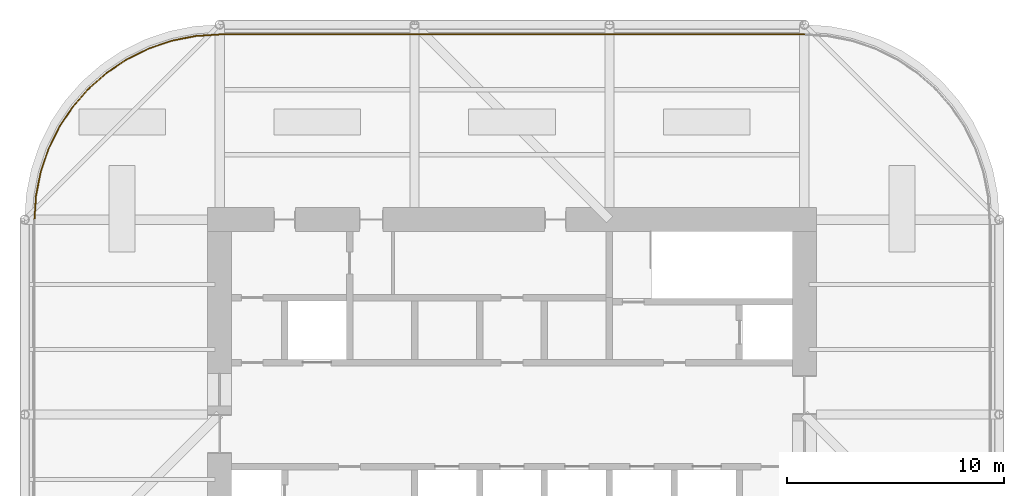
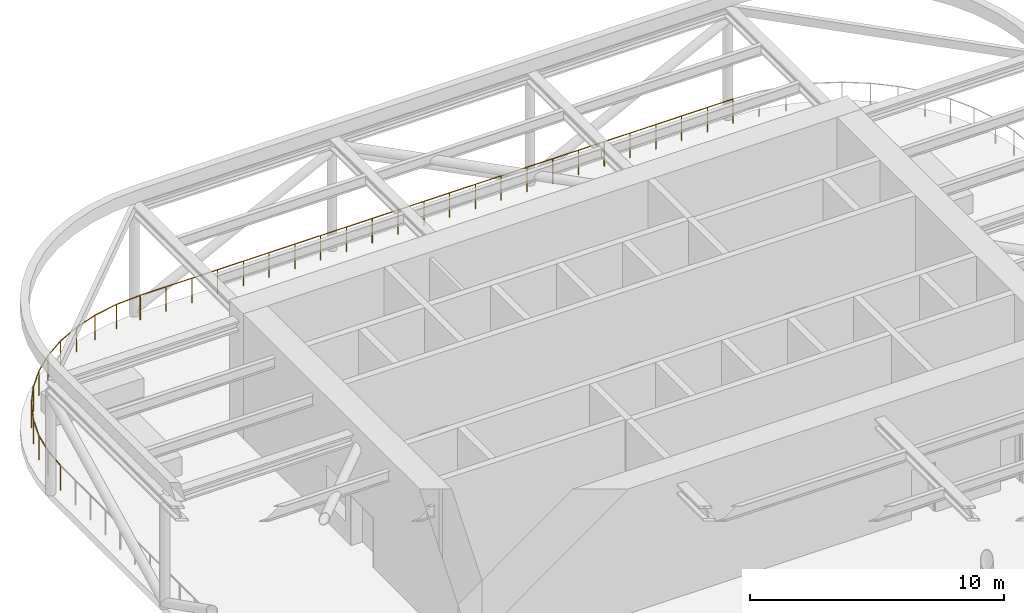
# One storey, part 8 of 8: 1 railing.
"""IFC4 building model written with IfcOpenShell, lengths in metres."""

import ifcopenshell
import ifcopenshell.guid

model = None  # the IFC model being written
_history = None  # IfcOwnerHistory: only IFC2X3 demands one
_inside = {}  # id of a spatial element -> (the spatial element, [elements in it])
_under = {}  # id of a project, library or spatial element -> (it, [spatial elements below it])
_declared = {}  # id of a project -> (the project, [libraries it declares])
_typed = {}  # id of a type object -> (the type object, [elements of that type])
_made_of = {}  # id of a material, layer set ... -> (it, [elements and type objects made of it])


def new_model(schema):
    """Start an empty IFC model of exactly this schema.

    Asked for "IFC4X3", IfcOpenShell would pick the latest addendum, in which some entities
    have other attributes; the version numbers below select the first issue.
    IFC2X3 requires an IfcOwnerHistory on every rooted entity: one is made here for all.
    """
    global model, _history
    if schema == "IFC4X3":
        model = ifcopenshell.file(schema_version=(4, 3, 0, 0))
    else:
        model = ifcopenshell.file(schema=schema)
    _inside.clear()
    _under.clear()
    _declared.clear()
    _typed.clear()
    _made_of.clear()
    _history = None
    if model.schema == "IFC2X3":
        org = make("IfcOrganization", Name="unknown")
        user = make(
            "IfcPersonAndOrganization",
            ThePerson=make("IfcPerson", FamilyName="unknown"),
            TheOrganization=org,
        )
        app = make(
            "IfcApplication",
            ApplicationDeveloper=org,
            Version="unknown",
            ApplicationFullName="unknown",
            ApplicationIdentifier="unknown",
        )
        _history = make(
            "IfcOwnerHistory",
            OwningUser=user,
            OwningApplication=app,
            ChangeAction="ADDED",
            CreationDate=0,
        )
    return model


def make(cls, **values):
    """One entity of the class cls with the attributes given. An attribute that is None is left unset."""
    return model.create_entity(
        cls, **{name: value for name, value in values.items() if value is not None}
    )


def rooted(cls, **values):
    """An entity with a GlobalId (a new one), such as an element, a storey or a relation."""
    return make(cls, GlobalId=ifcopenshell.guid.new(), OwnerHistory=_history, **values)


def si_unit(unit_type, name, prefix=None):
    """IfcSIUnit, for example si_unit("LENGTHUNIT", "METRE", prefix="MILLI")."""
    return make("IfcSIUnit", UnitType=unit_type, Prefix=prefix, Name=name)


def assignment(units):
    """IfcUnitAssignment: the units of a project."""
    return None if units is None else make("IfcUnitAssignment", Units=units)


def point(xyz):
    """IfcCartesianPoint."""
    return None if xyz is None else make("IfcCartesianPoint", Coordinates=xyz)


def direction(xyz):
    """IfcDirection."""
    return None if xyz is None else make("IfcDirection", DirectionRatios=xyz)


def frame(location, z_axis=None, x_axis=None):
    """IfcAxis2Placement3D, a coordinate frame: its origin and axes. An axis left out is left unset."""
    return make(
        "IfcAxis2Placement3D",
        Location=point(location),
        Axis=direction(z_axis),
        RefDirection=direction(x_axis),
    )


def frame_2d(location, x_axis=None):
    """IfcAxis2Placement2D, a coordinate frame in the plane: its origin and x axis."""
    return make(
        "IfcAxis2Placement2D", Location=point(location), RefDirection=direction(x_axis)
    )


def origin():
    """The frame at (0, 0, 0) with its axes left unset."""
    return frame((0.0, 0.0, 0.0))


def origin_2d():
    """The frame at (0, 0) in the plane with its x axis left unset."""
    return frame_2d((0.0, 0.0))


def place(relative_to, where):
    """IfcLocalPlacement: puts the frame where relative to a parent placement (None: the world)."""
    return make(
        "IfcLocalPlacement", PlacementRelTo=relative_to, RelativePlacement=where
    )


def context(
    kind, dimensions, precision=None, world=None, true_north=None, identifier=None
):
    """IfcGeometricRepresentationContext, for example the 3D "Model" context."""
    return make(
        "IfcGeometricRepresentationContext",
        ContextIdentifier=identifier,
        ContextType=kind,
        CoordinateSpaceDimension=dimensions,
        Precision=precision,
        WorldCoordinateSystem=world,
        TrueNorth=true_north,
    )


def subcontext(parent, identifier, kind, view, scale=None):
    """IfcGeometricRepresentationSubContext, for example "Body" below "Model"."""
    return make(
        "IfcGeometricRepresentationSubContext",
        ContextIdentifier=identifier,
        ContextType=kind,
        ParentContext=parent,
        TargetScale=scale,
        TargetView=view,
    )


def project(units=None, contexts=None):
    """IfcProject with its units and contexts."""
    return rooted(
        "IfcProject",
        Name="project",
        RepresentationContexts=contexts,
        UnitsInContext=assignment(units),
    )


def spatial(cls, under=None, at=None, **own):
    """A site, building, storey or space (cls), placed at a placement, below another one or the project."""
    s = rooted(cls, ObjectPlacement=at, **own)
    if under is not None:
        _under.setdefault(under.id(), (under, []))[1].append(s)
    return s


def profile(cls, at=None, kind="AREA", **sizes):
    """A parametric profile (cls). Its sizes go by their IFC names, for example OverallWidth=200.0."""
    return make(cls, ProfileType=kind, Position=at, **sizes)


def circle(**sizes):
    """IfcCircleProfileDef."""
    return profile("IfcCircleProfileDef", **sizes)


def extrude(swept, where, along, depth):
    """IfcExtrudedAreaSolid: the profile swept, set in the frame where, extruded along a direction by depth."""
    return make(
        "IfcExtrudedAreaSolid",
        SweptArea=swept,
        Position=where,
        ExtrudedDirection=direction(along),
        Depth=depth,
    )


def shape(context_of_items, identifier, shape_type, items):
    """IfcShapeRepresentation: the items that make up one representation, for example the "Body"."""
    return make(
        "IfcShapeRepresentation",
        ContextOfItems=context_of_items,
        RepresentationIdentifier=identifier,
        RepresentationType=shape_type,
        Items=items,
    )


def material(Name=None, Category=None):
    """IfcMaterial."""
    return make("IfcMaterial", Name=Name, Category=Category)


def made_of(thing, what):
    """Note that an element or type object is made of a material, layer set ...; save() writes the relation."""
    if what is not None:
        _made_of.setdefault(what.id(), (what, []))[1].append(thing)
    return thing


def type_object(cls, material=None, **own):
    """A type object (cls), such as IfcWallType, which elements share."""
    return made_of(rooted(cls, **own), material)


def element(
    cls,
    number,
    at=None,
    inside=None,
    cuts=None,
    type_object=None,
    material=None,
    context=None,
    identifier="Body",
    shape_type=None,
    held_by="IfcProductDefinitionShape",
    body=None,
    shapes=None,
    **own,
):
    """One element of the class cls, such as IfcWall. Its Tag is "e" and its number.

    at: its placement. inside: the storey or other place that contains it. cuts: it is an
    opening in that element (IfcRelVoidsElement). A single representation is given by context,
    identifier, shape_type and body (its items); several are given by shapes. held_by: the class
    of the entity that holds the representations. save() writes the other relations.
    """
    e = rooted(cls, Tag="e%d" % number, ObjectPlacement=at, **own)
    if body is not None:
        shapes = [shape(context, identifier, shape_type, body)]
    if shapes is not None:
        e.Representation = make(held_by, Representations=shapes)
    if inside is not None:
        _inside.setdefault(inside.id(), (inside, []))[1].append(e)
    if cuts is not None:
        rooted(
            "IfcRelVoidsElement", RelatingBuildingElement=cuts, RelatedOpeningElement=e
        )
    if type_object is not None:
        _typed.setdefault(type_object.id(), (type_object, []))[1].append(e)
    return made_of(e, material)


def aggregate(whole, parts):
    """IfcRelAggregates: a whole, such as a stair, and the parts it consists of."""
    return rooted("IfcRelAggregates", RelatingObject=whole, RelatedObjects=parts)


def save(model, path):
    """Write the relations noted so far, then the file.

    IfcRelAggregates (storeys below a building ...), IfcRelContainedInSpatialStructure (elements
    in a storey), IfcRelDefinesByType, IfcRelAssociatesMaterial and IfcRelDeclares: one each for
    every whole, place, type object, material and project.
    """
    for whole, parts in _under.values():
        aggregate(whole, parts)
    for where, things in _inside.values():
        rooted(
            "IfcRelContainedInSpatialStructure",
            RelatedElements=things,
            RelatingStructure=where,
        )
    for kind, things in _typed.values():
        rooted("IfcRelDefinesByType", RelatedObjects=things, RelatingType=kind)
    for what, things in _made_of.values():
        rooted("IfcRelAssociatesMaterial", RelatedObjects=things, RelatingMaterial=what)
    for by, libraries in _declared.values():
        rooted("IfcRelDeclares", RelatingContext=by, RelatedDefinitions=libraries)
    model.write(path)


model = new_model("IFC4")

# Units and contexts
model_context = context("Model", 3, precision=1e-05, world=origin(), true_north=direction((0.0, 1.0)))
body_context = subcontext(model_context, "Body", "Model", "MODEL_VIEW")
ifc_project = project(units=[si_unit("LENGTHUNIT", "METRE"), si_unit("AREAUNIT", "SQUARE_METRE"), si_unit("VOLUMEUNIT", "CUBIC_METRE"), si_unit("PLANEANGLEUNIT", "RADIAN"), si_unit("MASSUNIT", "GRAM", prefix="KILO")], contexts=[model_context])

# Site, building, storey
site_placement = place(None, origin())
site = spatial("IfcSite", under=ifc_project, at=site_placement, CompositionType="ELEMENT")
building_placement = place(site_placement, origin())
building = spatial("IfcBuilding", under=site, at=building_placement, Name="Zorevar Civic Tower", CompositionType="ELEMENT")
storey_placement = place(building_placement, frame((0.0, 0.0, 311.800048828125)))
storey = spatial("IfcBuildingStorey", under=building, at=storey_placement, Name="RF", CompositionType="ELEMENT", Elevation=311.800048828125)

# Railing
ifc_material = material(Name="Black steel posts and laminated glass", Category="steel")
railing_type = type_object("IfcRailingType", Name="Guard GR1 1200", PredefinedType="GUARDRAIL", material=ifc_material)
railing_placement = place(storey_placement, frame((9.449951171875, 35.9853515625, 0.0)))
element("IfcRailing", 1, at=railing_placement, inside=storey, type_object=railing_type, Name="Guard GR1 RF", PredefinedType="GUARDRAIL", context=body_context, shape_type="SweptSolid", body=[
    extrude(circle(Radius=0.02392578125, at=origin_2d()), frame((0.0, 0.0, 1.17578125), z_axis=(0.065503586587, 0.997852333837, 0.0), x_axis=(-0.997852333837, 0.065503586587, 0.0)), (0.0, 0.0, 1.0), 1.133056640625),
    extrude(circle(Radius=0.02392578125, at=origin_2d()), frame((0.07421875, 1.130615234375, 1.17578125), z_axis=(0.194982288456, 0.980806763429, 0.0), x_axis=(-0.980806763429, 0.194982288456, 0.0)), (0.0, 0.0, 1.0), 1.1181640625),
    extrude(circle(Radius=0.02392578125, at=origin_2d()), frame((0.292236328125, 2.227294921875, 1.17578125), z_axis=(0.321593506374, 0.946877825624, 0.0), x_axis=(-0.946877825624, 0.321593506374, 0.0)), (0.0, 0.0, 1.0), 1.1181640625),
    extrude(circle(Radius=0.02392578125, at=origin_2d()), frame((0.65185546875, 3.2861328125, 1.17578125), z_axis=(0.442316540366, 0.896859006823, 0.0), x_axis=(-0.896859006823, 0.442316540366, 0.0)), (0.0, 0.0, 1.0), 1.1181640625),
    extrude(circle(Radius=0.02392578125, at=origin_2d()), frame((1.146484375, 4.2890625, 1.17578125), z_axis=(0.555405337512, 0.831579768311, 0.0), x_axis=(-0.831579768311, 0.555405337512, 0.0)), (0.0, 0.0, 1.0), 1.1181640625),
    extrude(circle(Radius=0.02392578125, at=origin_2d()), frame((1.767578125, 5.218994140625, 1.17578125), z_axis=(0.659307936578, 0.751873024363, 0.0), x_axis=(-0.751873024363, 0.659307936578, 0.0)), (0.0, 0.0, 1.0), 1.118408203125),
    extrude(circle(Radius=0.02392578125, at=origin_2d()), frame((2.5048828125, 6.059814453125, 1.17578125), z_axis=(0.751873024363, 0.659307936578, 0.0), x_axis=(-0.659307936578, 0.751873024363, 0.0)), (0.0, 0.0, 1.0), 1.118408203125),
    extrude(circle(Radius=0.02392578125, at=origin_2d()), frame((3.345703125, 6.797119140625, 1.17578125), z_axis=(0.831579768311, 0.555405337512, 0.0), x_axis=(-0.555405337512, 0.831579768311, 0.0)), (0.0, 0.0, 1.0), 1.1181640625),
    extrude(circle(Radius=0.02392578125, at=origin_2d()), frame((4.275634765625, 7.418212890625, 1.17578125), z_axis=(0.896859006823, 0.442316540366, 0.0), x_axis=(-0.442316540366, 0.896859006823, 0.0)), (0.0, 0.0, 1.0), 1.1181640625),
    extrude(circle(Radius=0.02392578125, at=origin_2d()), frame((5.278564453125, 7.912841796875, 1.17578125), z_axis=(0.946877825624, 0.321593506374, 0.0), x_axis=(-0.321593506374, 0.946877825624, 0.0)), (0.0, 0.0, 1.0), 1.1181640625),
    extrude(circle(Radius=0.02392578125, at=origin_2d()), frame((6.33740234375, 8.2724609375, 1.17578125), z_axis=(0.980806763429, 0.194982288456, 0.0), x_axis=(-0.194982288456, 0.980806763429, 0.0)), (0.0, 0.0, 1.0), 1.1181640625),
    extrude(circle(Radius=0.02392578125, at=origin_2d()), frame((7.43408203125, 8.490478515625, 1.17578125), z_axis=(0.997852333837, 0.065503586587, 0.0), x_axis=(-0.065503586587, 0.997852333837, 0.0)), (0.0, 0.0, 1.0), 1.133056640625),
    extrude(circle(Radius=0.02392578125, at=origin_2d()), frame((8.564697265625, 8.564697265625, 1.17578125), z_axis=(1.0, 0.0, 0.0), x_axis=(0.0, 1.0, 0.0)), (0.0, 0.0, 1.0), 26.970703125),
    extrude(circle(Radius=0.02099609375, at=origin_2d()), origin(), (0.0, 0.0, 1.0), 1.15185546875),
    extrude(circle(Radius=0.02099609375, at=origin_2d()), frame((0.07421875, 1.130615234375, 0.0)), (0.0, 0.0, 1.0), 1.15185546875),
    extrude(circle(Radius=0.02099609375, at=origin_2d()), frame((0.292236328125, 2.227294921875, 0.0)), (0.0, 0.0, 1.0), 1.15185546875),
    extrude(circle(Radius=0.02099609375, at=origin_2d()), frame((0.65185546875, 3.2861328125, 0.0)), (0.0, 0.0, 1.0), 1.15185546875),
    extrude(circle(Radius=0.02099609375, at=origin_2d()), frame((1.146484375, 4.2890625, 0.0)), (0.0, 0.0, 1.0), 1.15185546875),
    extrude(circle(Radius=0.02099609375, at=origin_2d()), frame((1.767578125, 5.218994140625, 0.0)), (0.0, 0.0, 1.0), 1.15185546875),
    extrude(circle(Radius=0.02099609375, at=origin_2d()), frame((2.5048828125, 6.059814453125, 0.0)), (0.0, 0.0, 1.0), 1.15185546875),
    extrude(circle(Radius=0.02099609375, at=origin_2d()), frame((3.345703125, 6.797119140625, 0.0)), (0.0, 0.0, 1.0), 1.15185546875),
    extrude(circle(Radius=0.02099609375, at=origin_2d()), frame((4.275634765625, 7.418212890625, 0.0)), (0.0, 0.0, 1.0), 1.15185546875),
    extrude(circle(Radius=0.02099609375, at=origin_2d()), frame((5.278564453125, 7.912841796875, 0.0)), (0.0, 0.0, 1.0), 1.15185546875),
    extrude(circle(Radius=0.02099609375, at=origin_2d()), frame((6.33740234375, 8.2724609375, 0.0)), (0.0, 0.0, 1.0), 1.15185546875),
    extrude(circle(Radius=0.02099609375, at=origin_2d()), frame((7.43408203125, 8.490478515625, 0.0)), (0.0, 0.0, 1.0), 1.15185546875),
    extrude(circle(Radius=0.02099609375, at=origin_2d()), frame((8.564697265625, 8.564697265625, 0.0)), (0.0, 0.0, 1.0), 1.15185546875),
    extrude(circle(Radius=0.02099609375, at=origin_2d()), frame((9.7373046875, 8.564697265625, 0.0)), (0.0, 0.0, 1.0), 1.15185546875),
    extrude(circle(Radius=0.02099609375, at=origin_2d()), frame((10.909912109375, 8.564697265625, 0.0)), (0.0, 0.0, 1.0), 1.15185546875),
    extrude(circle(Radius=0.02099609375, at=origin_2d()), frame((12.08251953125, 8.564697265625, 0.0)), (0.0, 0.0, 1.0), 1.15185546875),
    extrude(circle(Radius=0.02099609375, at=origin_2d()), frame((13.25537109375, 8.564697265625, 0.0)), (0.0, 0.0, 1.0), 1.15185546875),
    extrude(circle(Radius=0.02099609375, at=origin_2d()), frame((14.427978515625, 8.564697265625, 0.0)), (0.0, 0.0, 1.0), 1.15185546875),
    extrude(circle(Radius=0.02099609375, at=origin_2d()), frame((15.6005859375, 8.564697265625, 0.0)), (0.0, 0.0, 1.0), 1.15185546875),
    extrude(circle(Radius=0.02099609375, at=origin_2d()), frame((16.773193359375, 8.564697265625, 0.0)), (0.0, 0.0, 1.0), 1.15185546875),
    extrude(circle(Radius=0.02099609375, at=origin_2d()), frame((17.94580078125, 8.564697265625, 0.0)), (0.0, 0.0, 1.0), 1.15185546875),
    extrude(circle(Radius=0.02099609375, at=origin_2d()), frame((19.118408203125, 8.564697265625, 0.0)), (0.0, 0.0, 1.0), 1.15185546875),
    extrude(circle(Radius=0.02099609375, at=origin_2d()), frame((20.291015625, 8.564697265625, 0.0)), (0.0, 0.0, 1.0), 1.15185546875),
    extrude(circle(Radius=0.02099609375, at=origin_2d()), frame((21.463623046875, 8.564697265625, 0.0)), (0.0, 0.0, 1.0), 1.15185546875),
    extrude(circle(Radius=0.02099609375, at=origin_2d()), frame((22.636474609375, 8.564697265625, 0.0)), (0.0, 0.0, 1.0), 1.15185546875),
    extrude(circle(Radius=0.02099609375, at=origin_2d()), frame((23.80908203125, 8.564697265625, 0.0)), (0.0, 0.0, 1.0), 1.15185546875),
    extrude(circle(Radius=0.02099609375, at=origin_2d()), frame((24.981689453125, 8.564697265625, 0.0)), (0.0, 0.0, 1.0), 1.15185546875),
    extrude(circle(Radius=0.02099609375, at=origin_2d()), frame((26.154296875, 8.564697265625, 0.0)), (0.0, 0.0, 1.0), 1.15185546875),
    extrude(circle(Radius=0.02099609375, at=origin_2d()), frame((27.326904296875, 8.564697265625, 0.0)), (0.0, 0.0, 1.0), 1.15185546875),
    extrude(circle(Radius=0.02099609375, at=origin_2d()), frame((28.49951171875, 8.564697265625, 0.0)), (0.0, 0.0, 1.0), 1.15185546875),
    extrude(circle(Radius=0.02099609375, at=origin_2d()), frame((29.672119140625, 8.564697265625, 0.0)), (0.0, 0.0, 1.0), 1.15185546875),
    extrude(circle(Radius=0.02099609375, at=origin_2d()), frame((30.8447265625, 8.564697265625, 0.0)), (0.0, 0.0, 1.0), 1.15185546875),
    extrude(circle(Radius=0.02099609375, at=origin_2d()), frame((32.017578125, 8.564697265625, 0.0)), (0.0, 0.0, 1.0), 1.15185546875),
    extrude(circle(Radius=0.02099609375, at=origin_2d()), frame((33.190185546875, 8.564697265625, 0.0)), (0.0, 0.0, 1.0), 1.15185546875),
    extrude(circle(Radius=0.02099609375, at=origin_2d()), frame((34.36279296875, 8.564697265625, 0.0)), (0.0, 0.0, 1.0), 1.15185546875),
    extrude(circle(Radius=0.02099609375, at=origin_2d()), frame((35.535400390625, 8.564697265625, 0.0)), (0.0, 0.0, 1.0), 1.15185546875),
])

save(model, "model.ifc")
